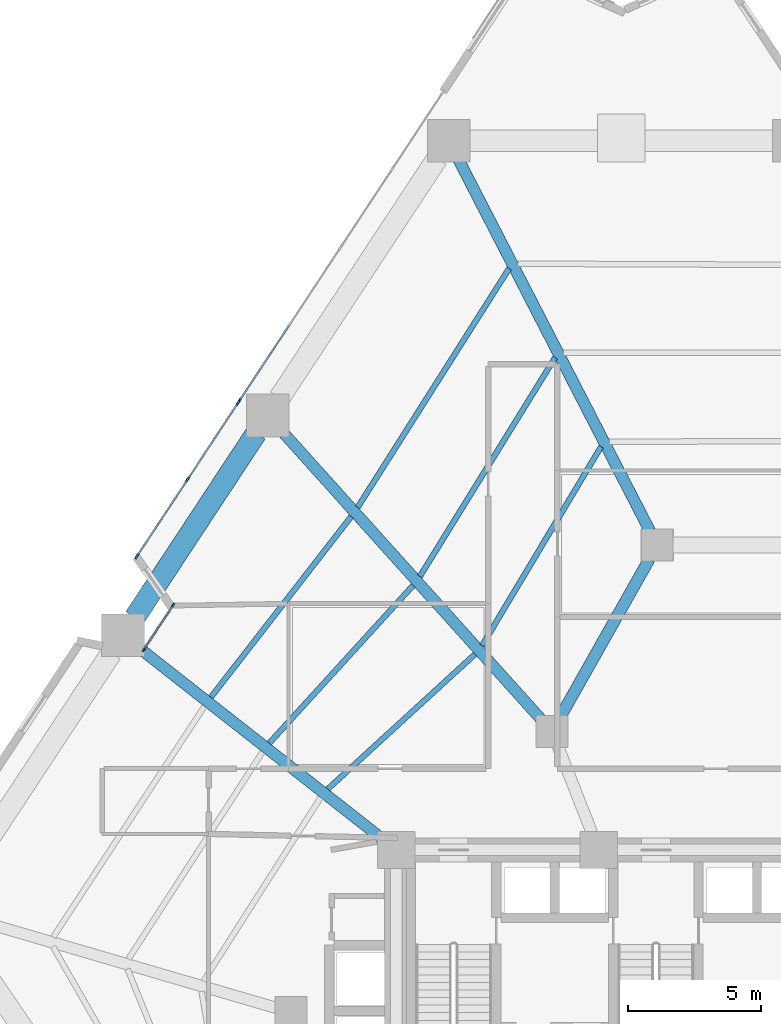
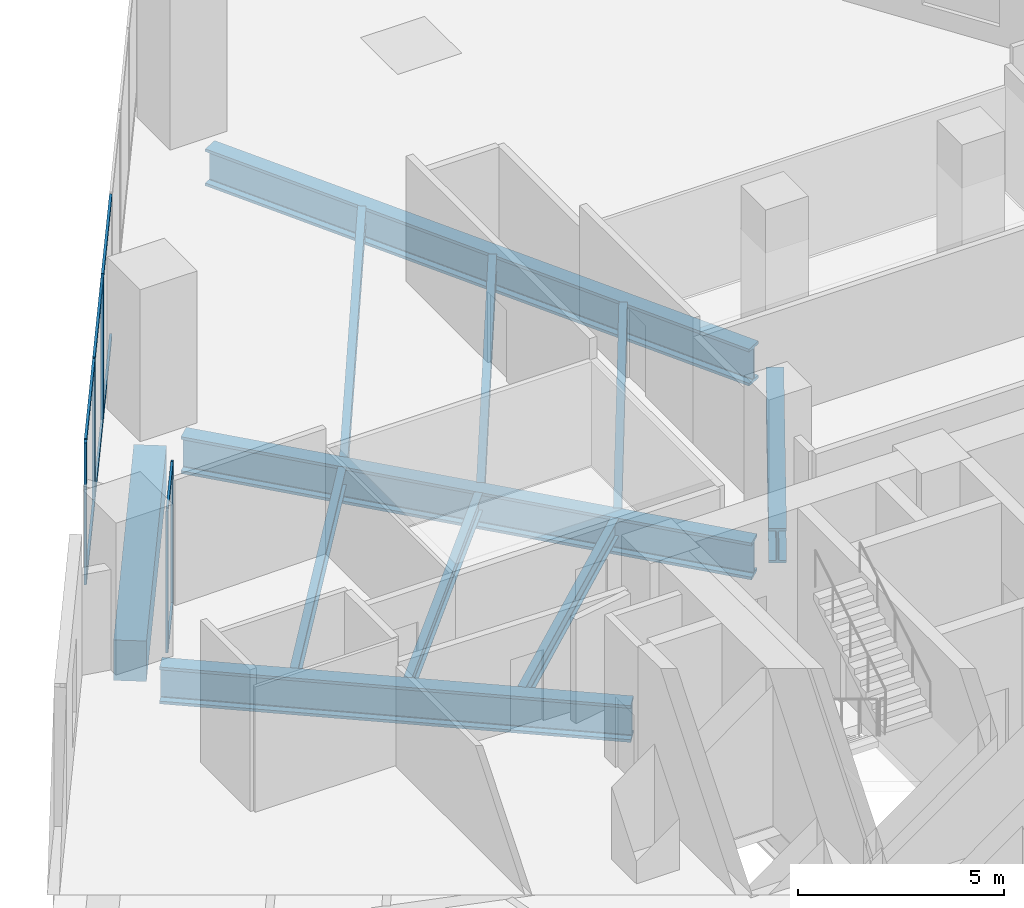
# One storey, part 2 of 12: 14 members, 11 beams, 3 elements without a shape of their own.
"""IFC4 building model written with IfcOpenShell, lengths in metres."""

from ifc_helpers import new_model, si_unit, direction, frame, origin, origin_2d, place, context, subcontext, project, spatial, rectangle, i_section, extrude, material, layer, layer_set, material_profile, profile_set, type_object, element, aggregate, save


model = new_model("IFC4")

# Units and contexts
model_context = context("Model", 3, precision=1e-05, world=origin(), true_north=direction((0.0, 1.0)))
body_context = subcontext(model_context, "Body", "Model", "MODEL_VIEW")
ifc_project = project(units=[si_unit("LENGTHUNIT", "METRE"), si_unit("AREAUNIT", "SQUARE_METRE"), si_unit("VOLUMEUNIT", "CUBIC_METRE"), si_unit("PLANEANGLEUNIT", "RADIAN"), si_unit("MASSUNIT", "GRAM", prefix="KILO")], contexts=[model_context])

# Site, building, storey
site_placement = place(None, origin())
site = spatial("IfcSite", under=ifc_project, at=site_placement, CompositionType="ELEMENT")
building_placement = place(site_placement, origin())
building = spatial("IfcBuilding", under=site, at=building_placement, Name="Almagre Mirador Tower", CompositionType="ELEMENT")
storey_placement = place(building_placement, frame((0.0, 0.0, 17.39990234375)))
storey = spatial("IfcBuildingStorey", under=building, at=storey_placement, Name="L03", CompositionType="ELEMENT", Elevation=17.39990234375)

# Beams
ifc_material_1 = material(Name="Steel ASTM A992 Grade 50", Category="steel")
ifc_material_profile_1 = material_profile(ifc_material_1, i_section(OverallWidth=0.208984375, OverallDepth=0.532958984375, WebThickness=0.01025390625, FlangeThickness=0.015625, FilletRadius=0.01806640625, at=origin_2d()), Name="W21X62")
ifc_profile_set_1 = profile_set([ifc_material_profile_1], Name="Steel ASTM A992 Grade 50")
beam_type_1 = type_object("IfcBeamType", Name="BM-JST-W21X62", PredefinedType="JOIST", material=ifc_profile_set_1)
beam_1_placement = place(storey_placement, frame((31.787109375, 36.593505859375, -0.56640625), z_axis=(-0.535447286046, -0.844568649588, 0.0), x_axis=(0.844568649588, -0.535447286046, 0.0)))
element("IfcBeam", 1, at=beam_1_placement, inside=storey, type_object=beam_type_1, Name="L03 secondary floor joist PC09-PC10.1", PredefinedType="JOIST", context=body_context, shape_type="SweptSolid", body=[
    extrude(i_section(OverallWidth=0.208984375, OverallDepth=0.532958984375, WebThickness=0.01025390625, FlangeThickness=0.015625, FilletRadius=0.01806640625, at=origin_2d()), origin(), (0.0, 0.0, 1.0), 10.624267578125),
])
beam_2_placement = place(storey_placement, frame((33.51416015625, 33.245849609375, -0.56640625), z_axis=(-0.525607423232, -0.850727239862, 0.0), x_axis=(0.850727239862, -0.525607423232, 0.0)))
element("IfcBeam", 2, at=beam_2_placement, inside=storey, type_object=beam_type_1, Name="L03 secondary floor joist PC09-PC10.2", PredefinedType="JOIST", context=body_context, shape_type="SweptSolid", body=[
    extrude(i_section(OverallWidth=0.208984375, OverallDepth=0.532958984375, WebThickness=0.01025390625, FlangeThickness=0.015625, FilletRadius=0.01806640625, at=origin_2d()), origin(), (0.0, 0.0, 1.0), 9.6650390625),
])
beam_3_placement = place(storey_placement, frame((35.241455078125, 29.89794921875, -0.56640625), z_axis=(-0.513571852625, -0.858046590921, 0.0), x_axis=(0.858046590921, -0.513571852625, 0.0)))
element("IfcBeam", 3, at=beam_3_placement, inside=storey, type_object=beam_type_1, Name="L03 secondary floor joist PC09-PC10.3", PredefinedType="JOIST", context=body_context, shape_type="SweptSolid", body=[
    extrude(i_section(OverallWidth=0.208984375, OverallDepth=0.532958984375, WebThickness=0.01025390625, FlangeThickness=0.015625, FilletRadius=0.01806640625, at=origin_2d()), origin(), (0.0, 0.0, 1.0), 8.70751953125),
])
beam_4_placement = place(storey_placement, frame((25.854736328125, 27.274169921875, -0.56640625), z_axis=(-0.613238066884, -0.789898141107, 0.0), x_axis=(0.789898141107, -0.613238066884, 0.0)))
element("IfcBeam", 4, at=beam_4_placement, inside=storey, type_object=beam_type_1, Name="L03 secondary floor joist PC10-PC11.1", PredefinedType="JOIST", context=body_context, shape_type="SweptSolid", body=[
    extrude(i_section(OverallWidth=0.208984375, OverallDepth=0.532958984375, WebThickness=0.01025390625, FlangeThickness=0.015625, FilletRadius=0.01806640625, at=origin_2d()), origin(), (0.0, 0.0, 1.0), 8.591796875),
])
beam_5_placement = place(storey_placement, frame((28.179931640625, 24.686279296875, -0.56640625), z_axis=(-0.673792506438, -0.738920603494, 0.0), x_axis=(0.738920603494, -0.673792506438, 0.0)))
element("IfcBeam", 5, at=beam_5_placement, inside=storey, type_object=beam_type_1, Name="L03 secondary floor joist PC10-PC11.2", PredefinedType="JOIST", context=body_context, shape_type="SweptSolid", body=[
    extrude(i_section(OverallWidth=0.208984375, OverallDepth=0.532958984375, WebThickness=0.01025390625, FlangeThickness=0.015625, FilletRadius=0.01806640625, at=origin_2d()), origin(), (0.0, 0.0, 1.0), 8.0146484375),
])
beam_6_placement = place(storey_placement, frame((30.50439453125, 22.101318359375, -0.56640625), z_axis=(-0.73753518568, -0.6753087071, 0.0), x_axis=(0.6753087071, -0.73753518568, 0.0)))
element("IfcBeam", 6, at=beam_6_placement, inside=storey, type_object=beam_type_1, Name="L03 secondary floor joist PC10-PC11.3", PredefinedType="JOIST", context=body_context, shape_type="SweptSolid", body=[
    extrude(i_section(OverallWidth=0.208984375, OverallDepth=0.532958984375, WebThickness=0.01025390625, FlangeThickness=0.015625, FilletRadius=0.01806640625, at=origin_2d()), origin(), (0.0, 0.0, 1.0), 7.49755859375),
])
ifc_material_2 = material(Name="Precast concrete C50/60", Category="concrete")
ifc_material_profile_2 = material_profile(ifc_material_2, rectangle(XDim=0.800048828125, YDim=1.199951171875, at=origin_2d()), Name="RC800X1200")
ifc_profile_set_2 = profile_set([ifc_material_profile_2], Name="Precast concrete C50/60")
beam_type_2 = type_object("IfcBeamType", Name="BM-SPN-RC800X1200", PredefinedType="SPANDREL", material=ifc_profile_set_2)
beam_7_placement = place(storey_placement, frame((22.28173828125, 30.39990234375, -0.89990234375), z_axis=(-0.55020506323, -0.835029573366, 0.0), x_axis=(0.835029573366, -0.55020506323, 0.0)))
element("IfcBeam", 7, at=beam_7_placement, inside=storey, type_object=beam_type_2, Name="L03 perimeter spandrel beam PC10-PC11", PredefinedType="SPANDREL", context=body_context, shape_type="SweptSolid", body=[
    extrude(rectangle(XDim=0.800048828125, YDim=1.199951171875, at=origin_2d()), origin(), (0.0, 0.0, 1.0), 8.287109375),
])
ifc_material_3 = material(Name="Steel ASTM A992 Grade 50", Category="steel")
ifc_material_profile_3 = material_profile(ifc_material_3, i_section(OverallWidth=0.43701171875, OverallDepth=1.010986328125, WebThickness=0.041015625, FlangeThickness=0.073974609375, FilletRadius=0.028076171875, at=origin_2d()), Name="W36X529")
ifc_profile_set_3 = profile_set([ifc_material_profile_3], Name="Steel ASTM A992 Grade 50")
beam_type_3 = type_object("IfcBeamType", Name="BM-STL-W36X529", PredefinedType="BEAM", material=ifc_profile_set_3)
beam_8_placement = place(storey_placement, frame((37.05517578125, 25.677490234375, -0.805419921875), z_axis=(-0.491440637516, -0.870911074564, 0.0), x_axis=(0.870911074564, -0.491440637516, 0.0)))
element("IfcBeam", 8, at=beam_8_placement, inside=storey, type_object=beam_type_3, Name="L03 core tie girder MC7-MC8", PredefinedType="BEAM", context=body_context, shape_type="SweptSolid", body=[
    extrude(i_section(OverallWidth=0.43701171875, OverallDepth=1.010986328125, WebThickness=0.041015625, FlangeThickness=0.073974609375, FilletRadius=0.028076171875, at=origin_2d()), origin(), (0.0, 0.0, 1.0), 6.837646484375),
])
ifc_material_4 = material(Name="Steel ASTM A913 Grade 65", Category="steel")
ifc_material_profile_4 = material_profile(ifc_material_4, i_section(OverallWidth=0.424072265625, OverallDepth=1.092041015625, WebThickness=0.04541015625, FlangeThickness=0.08203125, FilletRadius=0.030029296875, at=origin_2d()), Name="W40X593")
ifc_profile_set_4 = profile_set([ifc_material_profile_4], Name="Steel ASTM A913 Grade 65")
beam_type_4 = type_object("IfcBeamType", Name="BM-STL-W40X593", PredefinedType="BEAM", material=ifc_profile_set_4)
beam_9_placement = place(storey_placement, frame((29.888427734375, 40.677001953125, -0.845947265625), z_axis=(0.458142935094, -0.888878535585, 0.0), x_axis=(0.888878535585, 0.458142935094, 0.0)))
element("IfcBeam", 9, at=beam_9_placement, inside=storey, type_object=beam_type_4, Name="L03 radial floor girder PC09-MC7", PredefinedType="BEAM", context=body_context, shape_type="SweptSolid", body=[
    extrude(i_section(OverallWidth=0.424072265625, OverallDepth=1.092041015625, WebThickness=0.04541015625, FlangeThickness=0.08203125, FilletRadius=0.030029296875, at=origin_2d()), origin(), (0.0, 0.0, 1.0), 15.686767578125),
])
beam_10_placement = place(storey_placement, frame((23.257080078125, 30.473388671875, -0.845947265625), z_axis=(0.668852666091, -0.743394989937, 0.0), x_axis=(0.743394989937, 0.668852666091, 0.0)))
element("IfcBeam", 10, at=beam_10_placement, inside=storey, type_object=beam_type_4, Name="L03 radial floor girder PC10-MC8", PredefinedType="BEAM", context=body_context, shape_type="SweptSolid", body=[
    extrude(i_section(OverallWidth=0.424072265625, OverallDepth=1.092041015625, WebThickness=0.04541015625, FlangeThickness=0.08203125, FilletRadius=0.030029296875, at=origin_2d()), origin(), (0.0, 0.0, 1.0), 14.564697265625),
])
beam_11_placement = place(storey_placement, frame((17.9111328125, 22.318115234375, -0.845947265625), z_axis=(0.786533842835, -0.617547175587, 0.0), x_axis=(0.617547175587, 0.786533842835, 0.0)))
element("IfcBeam", 11, at=beam_11_placement, inside=storey, type_object=beam_type_4, Name="L03 radial floor girder PC11-CC4", PredefinedType="BEAM", context=body_context, shape_type="SweptSolid", body=[
    extrude(i_section(OverallWidth=0.424072265625, OverallDepth=1.092041015625, WebThickness=0.04541015625, FlangeThickness=0.08203125, FilletRadius=0.030029296875, at=origin_2d()), origin(), (0.0, 0.0, 1.0), 11.554931640625),
])

# Curtain wall, members
ifc_material_5 = material(Name="Black anodized aluminium", Category="aluminium")
ifc_layer_1 = layer(ifc_material_5, 0.169921875)
ifc_layer_set_1 = layer_set([ifc_layer_1], Name="Black anodized aluminium")
curtain_wall_type_1 = type_object("IfcCurtainWallType", Name="CW-CRS-SYS", PredefinedType="NOTDEFINED", material=ifc_layer_set_1)
curtain_wall_1_placement = place(storey_placement, origin())
curtain_wall_1 = element("IfcCurtainWall", 12, at=curtain_wall_1_placement, inside=storey, type_object=curtain_wall_type_1, Name="L03 vertical crease curtain wall 01", PredefinedType="NOTDEFINED")
ifc_material_6 = material(Name="Black anodized aluminium", Category="aluminium")
ifc_material_profile_5 = material_profile(ifc_material_6, rectangle(XDim=0.06005859375, YDim=0.14990234375, at=origin_2d()), Name="CWM60X150")
ifc_profile_set_5 = profile_set([ifc_material_profile_5], Name="Black anodized aluminium")
member_type_1 = type_object("IfcMemberType", Name="MBR-CWM60X150", PredefinedType="MULLION", material=ifc_profile_set_5)
member_1_placement = place(storey_placement, frame((18.060546875, 22.2666015625, 0.0), z_axis=(0.0, 0.0, 1.0), x_axis=(-0.8349914423, 0.550262929231, 0.0)))
member_1 = element("IfcMember", 13, at=member_1_placement, type_object=member_type_1, Name="CW-4 mullion 1", PredefinedType="MULLION", context=body_context, shape_type="SweptSolid", body=[
    extrude(rectangle(XDim=0.06005859375, YDim=0.14990234375, at=origin_2d()), origin(), (0.0, 0.0, 1.0), 4.2001953125),
])
member_2_placement = place(storey_placement, frame((19.16845703125, 23.94775390625, 0.0), z_axis=(0.0, 0.0, 1.0), x_axis=(-0.8349914423, 0.550262929231, 0.0)))
member_2 = element("IfcMember", 14, at=member_2_placement, type_object=member_type_1, Name="CW-4 mullion 2", PredefinedType="MULLION", context=body_context, shape_type="SweptSolid", body=[
    extrude(rectangle(XDim=0.06005859375, YDim=0.14990234375, at=origin_2d()), origin(), (0.0, 0.0, 1.0), 4.2001953125),
])

ifc_material_7 = material(Name="Black anodized aluminium", Category="aluminium")
ifc_layer_2 = layer(ifc_material_7, 0.219970703125)
ifc_layer_set_2 = layer_set([ifc_layer_2], Name="Black anodized aluminium")
curtain_wall_type_2 = type_object("IfcCurtainWallType", Name="CW-POD-SYS", PredefinedType="NOTDEFINED", material=ifc_layer_set_2)
curtain_wall_2_placement = place(storey_placement, origin())
curtain_wall_2 = element("IfcCurtainWall", 15, at=curtain_wall_2_placement, inside=storey, type_object=curtain_wall_type_2, Name="L03 curtain wall run 02", PredefinedType="NOTDEFINED")
ifc_material_8 = material(Name="Black anodized aluminium", Category="aluminium")
ifc_material_profile_6 = material_profile(ifc_material_8, rectangle(XDim=0.070068359375, YDim=0.2099609375, at=origin_2d()), Name="CWM70X210")
ifc_profile_set_6 = profile_set([ifc_material_profile_6], Name="Black anodized aluminium")
member_type_2 = type_object("IfcMemberType", Name="MBR-CWM70X210", PredefinedType="MULLION", material=ifc_profile_set_6)
member_3_placement = place(storey_placement, frame((17.80224609375, 25.7822265625, 0.0), z_axis=(0.0, 0.0, 1.0), x_axis=(-0.835028093068, 0.550207309826, 0.0)))
member_3 = element("IfcMember", 16, at=member_3_placement, type_object=member_type_2, Name="CW-1 mullion 1", PredefinedType="MULLION", context=body_context, shape_type="SweptSolid", body=[
    extrude(rectangle(XDim=0.070068359375, YDim=0.2099609375, at=origin_2d()), origin(), (0.0, 0.0, 1.0), 4.2001953125),
])
member_4_placement = place(storey_placement, frame((19.702392578125, 28.666259765625, 0.0), z_axis=(0.0, 0.0, 1.0), x_axis=(-0.835028093068, 0.550207309826, 0.0)))
member_4 = element("IfcMember", 17, at=member_4_placement, type_object=member_type_2, Name="CW-1 mullion 2", PredefinedType="MULLION", context=body_context, shape_type="SweptSolid", body=[
    extrude(rectangle(XDim=0.070068359375, YDim=0.2099609375, at=origin_2d()), origin(), (0.0, 0.0, 1.0), 4.2001953125),
])
member_5_placement = place(storey_placement, frame((21.602783203125, 31.550048828125, 0.0), z_axis=(0.0, 0.0, 1.0), x_axis=(-0.835028093068, 0.550207309826, 0.0)))
member_5 = element("IfcMember", 18, at=member_5_placement, type_object=member_type_2, Name="CW-1 mullion 3", PredefinedType="MULLION", context=body_context, shape_type="SweptSolid", body=[
    extrude(rectangle(XDim=0.070068359375, YDim=0.2099609375, at=origin_2d()), origin(), (0.0, 0.0, 1.0), 4.2001953125),
])

# Curtain wall, member
curtain_wall_3_placement = place(storey_placement, origin())
curtain_wall_3 = element("IfcCurtainWall", 19, at=curtain_wall_3_placement, inside=storey, type_object=curtain_wall_type_2, Name="L03 curtain wall run 03", PredefinedType="NOTDEFINED")
member_6_placement = place(storey_placement, frame((21.641357421875, 31.608642578125, 0.0), z_axis=(0.0, 0.0, 1.0), x_axis=(-0.835023754276, 0.550213894586, 0.0)))
member_6 = element("IfcMember", 20, at=member_6_placement, type_object=member_type_2, Name="CW-1 mullion 1", PredefinedType="MULLION", context=body_context, shape_type="SweptSolid", body=[
    extrude(rectangle(XDim=0.070068359375, YDim=0.2099609375, at=origin_2d()), origin(), (0.0, 0.0, 1.0), 4.2001953125),
])

# Member
ifc_material_9 = material(Name="Black anodized aluminium", Category="aluminium")
ifc_material_profile_7 = material_profile(ifc_material_9, rectangle(XDim=0.06005859375, YDim=0.1298828125, at=origin_2d()), Name="CWT60X130")
ifc_profile_set_7 = profile_set([ifc_material_profile_7], Name="Black anodized aluminium")
member_type_3 = type_object("IfcMemberType", Name="MBR-CWT60X130", PredefinedType="USERDEFINED", material=ifc_profile_set_7)
member_7_placement = place(storey_placement, frame((18.076904296875, 22.29150390625, 0.030029296875), z_axis=(0.55030940239, 0.834960814435, 0.0), x_axis=(-0.834960814435, 0.55030940239, 0.0)))
member_7 = element("IfcMember", 21, at=member_7_placement, type_object=member_type_3, Name="CW-4 transom 1.1", ObjectType="TRANSOM", PredefinedType="USERDEFINED", context=body_context, shape_type="SweptSolid", body=[
    extrude(rectangle(XDim=0.06005859375, YDim=0.1298828125, at=origin_2d()), origin(), (0.0, 0.0, 1.0), 1.953857421875),
])

member_8_placement = place(storey_placement, frame((18.076904296875, 22.29150390625, 4.170166015625), z_axis=(0.55030940239, 0.834960814435, 0.0), x_axis=(-0.834960814435, 0.55030940239, 0.0)))
member_8 = element("IfcMember", 22, at=member_8_placement, type_object=member_type_3, Name="CW-4 transom 1.2", ObjectType="TRANSOM", PredefinedType="USERDEFINED", context=body_context, shape_type="SweptSolid", body=[
    extrude(rectangle(XDim=0.06005859375, YDim=0.1298828125, at=origin_2d()), origin(), (0.0, 0.0, 1.0), 1.953857421875),
])

aggregate(curtain_wall_1, [member_1, member_2, member_7, member_8])

ifc_material_10 = material(Name="Black anodized aluminium", Category="aluminium")
ifc_material_profile_8 = material_profile(ifc_material_10, rectangle(XDim=0.06494140625, YDim=0.14990234375, at=origin_2d()), Name="CWT65X150")
ifc_profile_set_8 = profile_set([ifc_material_profile_8], Name="Black anodized aluminium")
member_type_4 = type_object("IfcMemberType", Name="MBR-CWT65X150", PredefinedType="USERDEFINED", material=ifc_profile_set_8)
member_9_placement = place(storey_placement, frame((17.821533203125, 25.8115234375, 0.03271484375), z_axis=(0.550229905406, 0.835013204205, 0.0), x_axis=(-0.835013204205, 0.550229905406, 0.0)))
member_9 = element("IfcMember", 23, at=member_9_placement, type_object=member_type_4, Name="CW-1 transom 1.1", ObjectType="TRANSOM", PredefinedType="USERDEFINED", context=body_context, shape_type="SweptSolid", body=[
    extrude(rectangle(XDim=0.06494140625, YDim=0.14990234375, at=origin_2d()), origin(), (0.0, 0.0, 1.0), 3.3837890625),
])

member_10_placement = place(storey_placement, frame((17.821533203125, 25.8115234375, 4.16748046875), z_axis=(0.550229905406, 0.835013204205, 0.0), x_axis=(-0.835013204205, 0.550229905406, 0.0)))
member_10 = element("IfcMember", 24, at=member_10_placement, type_object=member_type_4, Name="CW-1 transom 1.2", ObjectType="TRANSOM", PredefinedType="USERDEFINED", context=body_context, shape_type="SweptSolid", body=[
    extrude(rectangle(XDim=0.06494140625, YDim=0.14990234375, at=origin_2d()), origin(), (0.0, 0.0, 1.0), 3.3837890625),
])

member_11_placement = place(storey_placement, frame((19.7216796875, 28.6953125, 0.03271484375), z_axis=(0.550229905406, 0.835013204205, 0.0), x_axis=(-0.835013204205, 0.550229905406, 0.0)))
member_11 = element("IfcMember", 25, at=member_11_placement, type_object=member_type_4, Name="CW-1 transom 2.1", ObjectType="TRANSOM", PredefinedType="USERDEFINED", context=body_context, shape_type="SweptSolid", body=[
    extrude(rectangle(XDim=0.06494140625, YDim=0.14990234375, at=origin_2d()), origin(), (0.0, 0.0, 1.0), 3.3837890625),
])

member_12_placement = place(storey_placement, frame((19.7216796875, 28.6953125, 4.16748046875), z_axis=(0.550229905406, 0.835013204205, 0.0), x_axis=(-0.835013204205, 0.550229905406, 0.0)))
member_12 = element("IfcMember", 26, at=member_12_placement, type_object=member_type_4, Name="CW-1 transom 2.2", ObjectType="TRANSOM", PredefinedType="USERDEFINED", context=body_context, shape_type="SweptSolid", body=[
    extrude(rectangle(XDim=0.06494140625, YDim=0.14990234375, at=origin_2d()), origin(), (0.0, 0.0, 1.0), 3.3837890625),
])

aggregate(curtain_wall_2, [member_3, member_4, member_5, member_9, member_10, member_11, member_12])

member_13_placement = place(storey_placement, frame((21.660400390625, 31.6376953125, 0.03271484375), z_axis=(0.550229905406, 0.835013204205, 0.0), x_axis=(-0.835013204205, 0.550229905406, 0.0)))
member_13 = element("IfcMember", 27, at=member_13_placement, type_object=member_type_4, Name="CW-1 transom 1.1", ObjectType="TRANSOM", PredefinedType="USERDEFINED", context=body_context, shape_type="SweptSolid", body=[
    extrude(rectangle(XDim=0.06494140625, YDim=0.14990234375, at=origin_2d()), origin(), (0.0, 0.0, 1.0), 3.3837890625),
])

member_14_placement = place(storey_placement, frame((21.660400390625, 31.6376953125, 4.16748046875), z_axis=(0.550229905406, 0.835013204205, 0.0), x_axis=(-0.835013204205, 0.550229905406, 0.0)))
member_14 = element("IfcMember", 28, at=member_14_placement, type_object=member_type_4, Name="CW-1 transom 1.2", ObjectType="TRANSOM", PredefinedType="USERDEFINED", context=body_context, shape_type="SweptSolid", body=[
    extrude(rectangle(XDim=0.06494140625, YDim=0.14990234375, at=origin_2d()), origin(), (0.0, 0.0, 1.0), 3.3837890625),
])

aggregate(curtain_wall_3, [member_6, member_13, member_14])

save(model, "model.ifc")
